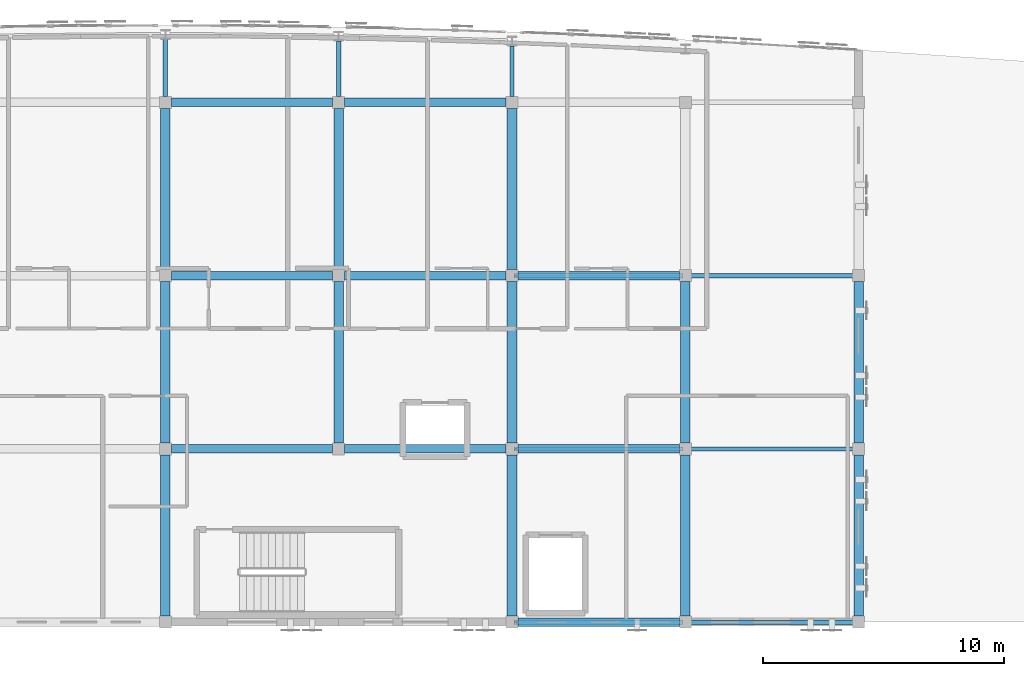
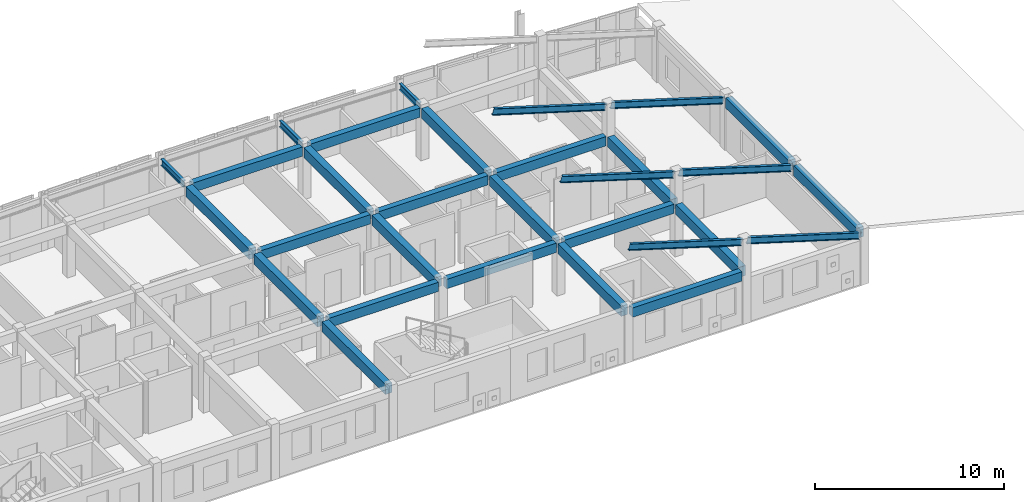
# One storey, part 16 of 34: 30 beams.
"""IFC4 building model written with IfcOpenShell, lengths in metres."""

from ifc_helpers import new_model, si_unit, direction, frame, origin, origin_2d, place, context, subcontext, project, spatial, rectangle, i_section, extrude, material, material_profile, profile_set, type_object, element, save


model = new_model("IFC4")

# Units and contexts
model_context = context("Model", 3, precision=1e-05, world=origin(), true_north=direction((0.0, 1.0)))
body_context = subcontext(model_context, "Body", "Model", "MODEL_VIEW")
ifc_project = project(units=[si_unit("LENGTHUNIT", "METRE"), si_unit("AREAUNIT", "SQUARE_METRE"), si_unit("VOLUMEUNIT", "CUBIC_METRE"), si_unit("PLANEANGLEUNIT", "RADIAN"), si_unit("MASSUNIT", "GRAM", prefix="KILO")], contexts=[model_context])

# Site, building, storey
site_placement = place(None, origin())
site = spatial("IfcSite", under=ifc_project, at=site_placement, CompositionType="ELEMENT")
building_placement = place(site_placement, origin())
building = spatial("IfcBuilding", under=site, at=building_placement, Name="Carrowvane Square Congress Hotel", CompositionType="ELEMENT")
storey_placement = place(building_placement, frame((0.0, 0.0, 40.800048828125)))
storey = spatial("IfcBuildingStorey", under=building, at=storey_placement, Name="L10", CompositionType="ELEMENT", Elevation=40.800048828125)

# Beams
ifc_material_1 = material(Name="Concrete C35/45", Category="concrete")
ifc_material_profile_1 = material_profile(ifc_material_1, rectangle(XDim=0.35009765625, YDim=0.60009765625, at=origin_2d()), Name="RC 350x600")
ifc_profile_set_1 = profile_set([ifc_material_profile_1], Name="Concrete C35/45")
beam_type_1 = type_object("IfcBeamType", Name="BM-RC-350x600", PredefinedType="BEAM", material=ifc_profile_set_1)
beam_1_placement = place(storey_placement, frame((112.64990234375, 91.800048828125, 3.079833984375), z_axis=(1.0, 0.0, 0.0), x_axis=(0.0, 1.0, 0.0)))
element("IfcBeam", 1, at=beam_1_placement, inside=storey, type_object=beam_type_1, Name="L11 girder N/15-16", PredefinedType="BEAM", context=body_context, shape_type="SweptSolid", body=[
    extrude(rectangle(XDim=0.35009765625, YDim=0.60009765625, at=origin_2d()), origin(), (0.0, 0.0, 1.0), 6.7001953125),
])
for number, where, z_axis, x_axis, name in (
    (2, (98.25, 99.0, 3.079833984375), (1.0, 0.0, 0.0), (0.0, 1.0, 0.0), "L11 girder P/13-14"),
    (3, (105.449951171875, 99.0, 3.079833984375), (1.0, 0.0, 0.0), (0.0, 1.0, 0.0), "L11 girder P/14-15"),
):
    element("IfcBeam", number, at=place(storey_placement, frame(where, z_axis=z_axis, x_axis=x_axis)), inside=storey, type_object=beam_type_1, Name=name, PredefinedType="BEAM", context=body_context, shape_type="SweptSolid", body=[
        extrude(rectangle(XDim=0.35009765625, YDim=0.60009765625, at=origin_2d()), origin(), (0.0, 0.0, 1.0), 6.699951171875),
    ])
beam_2_placement = place(storey_placement, frame((112.64990234375, 99.0, 3.079833984375), z_axis=(1.0, 0.0, 0.0), x_axis=(0.0, 1.0, 0.0)))
element("IfcBeam", 4, at=beam_2_placement, inside=storey, type_object=beam_type_1, Name="L11 girder P/15-16", PredefinedType="BEAM", context=body_context, shape_type="SweptSolid", body=[
    extrude(rectangle(XDim=0.35009765625, YDim=0.60009765625, at=origin_2d()), origin(), (0.0, 0.0, 1.0), 6.7001953125),
])
for number, where, z_axis, x_axis, name in (
    (5, (98.25, 106.199951171875, 3.079833984375), (1.0, 0.0, 0.0), (0.0, 1.0, 0.0), "L11 girder Q/13-14"),
    (6, (105.449951171875, 106.199951171875, 3.079833984375), (1.0, 0.0, 0.0), (0.0, 1.0, 0.0), "L11 girder Q/14-15"),
):
    element("IfcBeam", number, at=place(storey_placement, frame(where, z_axis=z_axis, x_axis=x_axis)), inside=storey, type_object=beam_type_1, Name=name, PredefinedType="BEAM", context=body_context, shape_type="SweptSolid", body=[
        extrude(rectangle(XDim=0.35009765625, YDim=0.60009765625, at=origin_2d()), origin(), (0.0, 0.0, 1.0), 6.699951171875),
    ])
beam_3_placement = place(storey_placement, frame((112.64990234375, 106.199951171875, 3.079833984375), z_axis=(1.0, 0.0, 0.0), x_axis=(0.0, 1.0, 0.0)))
element("IfcBeam", 7, at=beam_3_placement, inside=storey, type_object=beam_type_1, Name="L11 girder Q/15-16", PredefinedType="BEAM", context=body_context, shape_type="SweptSolid", body=[
    extrude(rectangle(XDim=0.35009765625, YDim=0.60009765625, at=origin_2d()), origin(), (0.0, 0.0, 1.0), 6.7001953125),
])
for number, where, z_axis, x_axis, name in (
    (8, (98.25, 113.39990234375, 3.079833984375), (1.0, 0.0, 0.0), (0.0, 1.0, 0.0), "L11 girder R/13-14"),
    (9, (105.449951171875, 113.39990234375, 3.079833984375), (1.0, 0.0, 0.0), (0.0, 1.0, 0.0), "L11 girder R/14-15"),
):
    element("IfcBeam", number, at=place(storey_placement, frame(where, z_axis=z_axis, x_axis=x_axis)), inside=storey, type_object=beam_type_1, Name=name, PredefinedType="BEAM", context=body_context, shape_type="SweptSolid", body=[
        extrude(rectangle(XDim=0.35009765625, YDim=0.60009765625, at=origin_2d()), origin(), (0.0, 0.0, 1.0), 6.699951171875),
    ])
ifc_material_2 = material(Name="Concrete C35/45", Category="concrete")
ifc_material_profile_2 = material_profile(ifc_material_2, rectangle(XDim=0.39990234375, YDim=0.64990234375, at=origin_2d()), Name="RC 400x650")
ifc_profile_set_2 = profile_set([ifc_material_profile_2], Name="Concrete C35/45")
beam_type_2 = type_object("IfcBeamType", Name="BM-RC-400x650", PredefinedType="BEAM", material=ifc_profile_set_2)
for number, where, z_axis, x_axis, name in (
    (10, (98.0, 92.050048828125, 3.054931640625), (0.0, 1.0, 0.0), (-1.0, 0.0, 0.0), "L11 girder 13/N-P"),
    (11, (98.0, 99.25, 3.054931640625), (0.0, 1.0, 0.0), (-1.0, 0.0, 0.0), "L11 girder 13/P-Q"),
    (12, (98.0, 106.449951171875, 3.054931640625), (0.0, 1.0, 0.0), (-1.0, 0.0, 0.0), "L11 girder 13/Q-R"),
    (13, (105.199951171875, 99.25, 3.054931640625), (0.0, 1.0, 0.0), (-1.0, 0.0, 0.0), "L11 girder 14/P-Q"),
    (14, (105.199951171875, 106.449951171875, 3.054931640625), (0.0, 1.0, 0.0), (-1.0, 0.0, 0.0), "L11 girder 14/Q-R"),
    (15, (112.39990234375, 92.050048828125, 3.054931640625), (0.0, 1.0, 0.0), (-1.0, 0.0, 0.0), "L11 girder 15/N-P"),
    (16, (112.39990234375, 99.25, 3.054931640625), (0.0, 1.0, 0.0), (-1.0, 0.0, 0.0), "L11 girder 15/P-Q"),
    (17, (112.39990234375, 106.449951171875, 3.054931640625), (0.0, 1.0, 0.0), (-1.0, 0.0, 0.0), "L11 girder 15/Q-R"),
    (18, (119.60009765625, 92.050048828125, 3.054931640625), (0.0, 1.0, 0.0), (-1.0, 0.0, 0.0), "L11 girder 16/N-P"),
    (19, (119.60009765625, 99.25, 3.054931640625), (0.0, 1.0, 0.0), (-1.0, 0.0, 0.0), "L11 girder 16/P-Q"),
    (20, (126.800048828125, 92.050048828125, 3.054931640625), (0.0, 1.0, 0.0), (-1.0, 0.0, 0.0), "L11 girder 17/N-P"),
    (21, (126.800048828125, 99.25, 3.054931640625), (0.0, 1.0, 0.0), (-1.0, 0.0, 0.0), "L11 girder 17/P-Q"),
):
    element("IfcBeam", number, at=place(storey_placement, frame(where, z_axis=z_axis, x_axis=x_axis)), inside=storey, type_object=beam_type_2, Name=name, PredefinedType="BEAM", context=body_context, shape_type="SweptSolid", body=[
        extrude(rectangle(XDim=0.39990234375, YDim=0.64990234375, at=origin_2d()), origin(), (0.0, 0.0, 1.0), 6.699951171875),
    ])
ifc_material_3 = material(Name="Steel S355", Category="steel")
ifc_material_profile_3 = material_profile(ifc_material_3, i_section(OverallWidth=0.1787109375, OverallDepth=0.409423828125, WebThickness=0.0087890625, FlangeThickness=0.014404296875, FilletRadius=0.01025390625, at=origin_2d()), Name="UKB 406x178x67")
ifc_profile_set_3 = profile_set([ifc_material_profile_3], Name="Steel S355")
beam_type_3 = type_object("IfcBeamType", Name="BM-ST-UKB406", PredefinedType="BEAM", material=ifc_profile_set_3)
beam_4_placement = place(storey_placement, frame((98.0, 113.64990234375, 3.17529296875), z_axis=(0.0, 1.0, 0.0), x_axis=(-1.0, 0.0, 0.0)))
element("IfcBeam", 22, at=beam_4_placement, inside=storey, type_object=beam_type_3, Name="L11 radial north beam 13", PredefinedType="BEAM", context=body_context, shape_type="SweptSolid", body=[
    extrude(i_section(OverallWidth=0.1787109375, OverallDepth=0.409423828125, WebThickness=0.0087890625, FlangeThickness=0.014404296875, FilletRadius=0.01025390625, at=origin_2d()), origin(), (0.0, 0.0, 1.0), 2.372802734375),
])
beam_5_placement = place(storey_placement, frame((105.199951171875, 113.64990234375, 3.17529296875), z_axis=(0.0, 1.0, 0.0), x_axis=(-1.0, 0.0, 0.0)))
element("IfcBeam", 23, at=beam_5_placement, inside=storey, type_object=beam_type_3, Name="L11 radial north beam 14", PredefinedType="BEAM", context=body_context, shape_type="SweptSolid", body=[
    extrude(i_section(OverallWidth=0.1787109375, OverallDepth=0.409423828125, WebThickness=0.0087890625, FlangeThickness=0.014404296875, FilletRadius=0.01025390625, at=origin_2d()), origin(), (0.0, 0.0, 1.0), 2.302490234375),
])
beam_6_placement = place(storey_placement, frame((112.39990234375, 115.74658203125, 3.17529296875), z_axis=(0.0, -1.0, 0.0), x_axis=(1.0, 0.0, 0.0)))
element("IfcBeam", 24, at=beam_6_placement, inside=storey, type_object=beam_type_3, Name="L11 curved north spandrel", PredefinedType="BEAM", context=body_context, shape_type="SweptSolid", body=[
    extrude(i_section(OverallWidth=0.1787109375, OverallDepth=0.409423828125, WebThickness=0.0087890625, FlangeThickness=0.014404296875, FilletRadius=0.01025390625, at=origin_2d()), origin(), (0.0, 0.0, 1.0), 2.0966796875),
])
for number, where, z_axis, x_axis, name in (
    (25, (112.550048828125, 91.800048828125, 7.280029296875), (0.956668960914, 0.0, -0.291177779413), (0.0, 1.0, 0.0), "L10 shallow-arc roof rafter 9"),
    (26, (112.550048828125, 99.0, 7.280029296875), (0.956668960914, 0.0, -0.291177779413), (0.0, 1.0, 0.0), "L10 shallow-arc roof rafter 10"),
    (27, (112.550048828125, 106.199951171875, 7.280029296875), (0.956668960914, 0.0, -0.291177779413), (0.0, 1.0, 0.0), "L10 shallow-arc roof rafter 11"),
    (28, (119.75, 91.800048828125, 5.179931640625), (0.956668960914, 0.0, -0.291177779413), (0.0, 1.0, 0.0), "L10 shallow-arc roof rafter 13"),
    (29, (119.75, 99.0, 5.179931640625), (0.956668960914, 0.0, -0.291177779413), (0.0, 1.0, 0.0), "L10 shallow-arc roof rafter 14"),
    (30, (119.75, 106.199951171875, 5.179931640625), (0.956668960914, 0.0, -0.291177779413), (0.0, 1.0, 0.0), "L10 shallow-arc roof rafter 15"),
):
    element("IfcBeam", number, at=place(storey_placement, frame(where, z_axis=z_axis, x_axis=x_axis)), inside=storey, type_object=beam_type_3, Name=name, PredefinedType="BEAM", context=body_context, shape_type="SweptSolid", body=[
        extrude(i_section(OverallWidth=0.1787109375, OverallDepth=0.409423828125, WebThickness=0.0087890625, FlangeThickness=0.014404296875, FilletRadius=0.01025390625, at=origin_2d()), origin(), (0.0, 0.0, 1.0), 7.21240234375),
    ])

save(model, "model.ifc")
